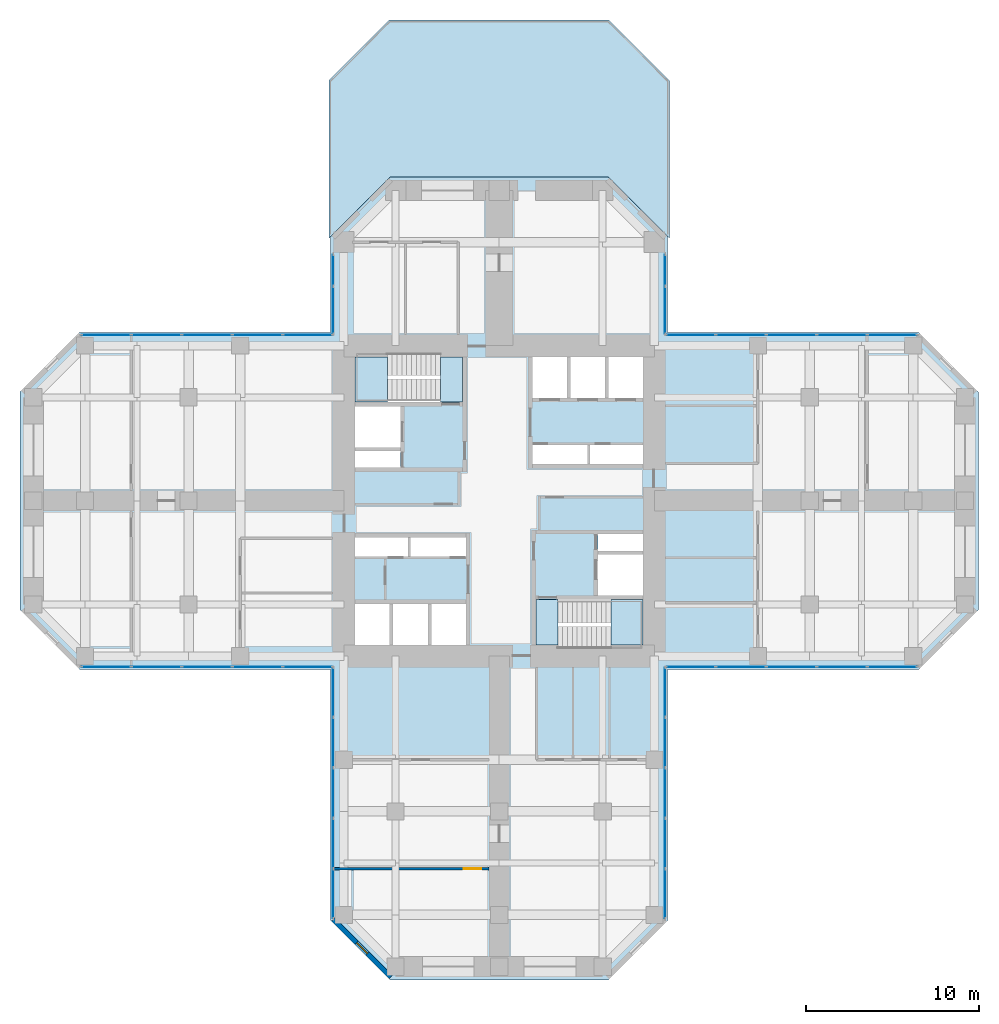
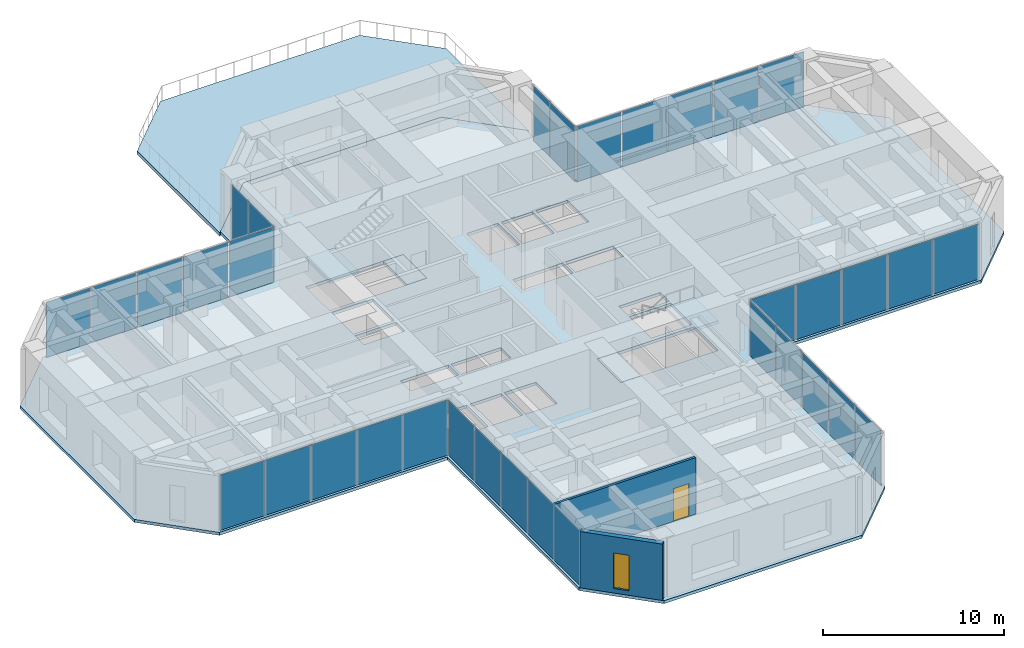
# One storey, part 7 of 12: 34 plates, 6 slabs, 2 walls, 1 door, 1 window, 2 openings, 10 elements without a shape of their own.
"""IFC4 building model written with IfcOpenShell, lengths in metres."""

from ifc_helpers import new_model, si_unit, direction, frame, frame_2d, origin, origin_2d, place, context, subcontext, project, spatial, polyline, rectangle, hollow_rectangle, outline, extrude, material, layer, layer_set, constituent, constituent_set, type_object, element, fill, aggregate, save


model = new_model("IFC4")

# Units and contexts
model_context = context("Model", 3, precision=1e-05, world=origin(), true_north=direction((0.0, 1.0)))
body_context = subcontext(model_context, "Body", "Model", "MODEL_VIEW")
ifc_project = project(units=[si_unit("LENGTHUNIT", "METRE"), si_unit("AREAUNIT", "SQUARE_METRE"), si_unit("VOLUMEUNIT", "CUBIC_METRE"), si_unit("PLANEANGLEUNIT", "RADIAN"), si_unit("MASSUNIT", "GRAM", prefix="KILO")], contexts=[model_context])

# Site, building, storey
site_placement = place(None, origin())
site = spatial("IfcSite", under=ifc_project, at=site_placement, CompositionType="ELEMENT")
building_placement = place(site_placement, origin())
building = spatial("IfcBuilding", under=site, at=building_placement, Name="Torre Cruceta", CompositionType="ELEMENT")
storey_placement = place(building_placement, frame((0.0, 0.0, 100.5)))
storey = spatial("IfcBuildingStorey", under=building, at=storey_placement, Name="L24", CompositionType="ELEMENT", Elevation=100.5)

# Curtain wall, plate
ifc_material_1 = material(Name="Aluminium unitised curtain wall", Category="aluminium")
curtain_wall_type = type_object("IfcCurtainWallType", Name="CURTAIN WALL CW-B OFFICE MID RISE", PredefinedType="USERDEFINED", material=ifc_material_1)
curtain_wall_1_placement = place(storey_placement, origin())
curtain_wall_1 = element("IfcCurtainWall", 1, at=curtain_wall_1_placement, inside=storey, type_object=curtain_wall_type, Name="CW-B L24 E side 00", ObjectType="UNITISED", PredefinedType="USERDEFINED")
ifc_material_2 = material(Name="Laminated insulating glass unit, diagonal frit 50 %", Category="glass")
ifc_material_3 = material(Name="Laminated insulating glass unit, diagonal frit 50 %", Category="glass")
ifc_layer_1 = layer(ifc_material_3, 0.031982421875)
ifc_layer_set_1 = layer_set([ifc_layer_1], Name="Laminated insulating glass unit, diagonal frit 50 %")
plate_type_1 = type_object("IfcPlateType", Name="CW-B OPERABLE VENT PANEL 32", PredefinedType="CURTAIN_PANEL", material=ifc_layer_set_1)
plate_1_placement = place(storey_placement, frame((16.9384765625, -9.6201171875, 0.010009765625), z_axis=(0.0, 0.0, 1.0), x_axis=(1.0, 0.0, 0.0)))
plate_1 = element("IfcPlate", 2, at=plate_1_placement, type_object=plate_type_1, material=ifc_material_2, Name="CW-B vent 3", PredefinedType="CURTAIN_PANEL", context=body_context, shape_type="SweptSolid", body=[
    extrude(rectangle(XDim=2.8623046875, YDim=0.031982421875, at=origin_2d()), origin(), (0.0, 0.0, 1.0), 3.72509765625),
])

curtain_wall_2_placement = place(storey_placement, origin())
curtain_wall_2 = element("IfcCurtainWall", 3, at=curtain_wall_2_placement, inside=storey, type_object=curtain_wall_type, Name="CW-B L24 E side 04", ObjectType="UNITISED", PredefinedType="USERDEFINED")
plate_2_placement = place(storey_placement, frame((16.9384765625, 9.6201171875, 0.010009765625), z_axis=(0.0, 0.0, 1.0), x_axis=(-1.0, 0.0, 0.0)))
plate_2 = element("IfcPlate", 4, at=plate_2_placement, type_object=plate_type_1, material=ifc_material_2, Name="CW-B vent 3", PredefinedType="CURTAIN_PANEL", context=body_context, shape_type="SweptSolid", body=[
    extrude(rectangle(XDim=2.8623046875, YDim=0.031982421875, at=origin_2d()), origin(), (0.0, 0.0, 1.0), 3.72509765625),
])

curtain_wall_3_placement = place(storey_placement, origin())
curtain_wall_3 = element("IfcCurtainWall", 5, at=curtain_wall_3_placement, inside=storey, type_object=curtain_wall_type, Name="CW-B L24 W side 10", ObjectType="UNITISED", PredefinedType="USERDEFINED")
plate_3_placement = place(storey_placement, frame((-16.9384765625, 9.6201171875, 0.010009765625), z_axis=(0.0, 0.0, 1.0), x_axis=(-1.0, 0.0, 0.0)))
plate_3 = element("IfcPlate", 6, at=plate_3_placement, type_object=plate_type_1, material=ifc_material_2, Name="CW-B vent 3", PredefinedType="CURTAIN_PANEL", context=body_context, shape_type="SweptSolid", body=[
    extrude(rectangle(XDim=2.8623046875, YDim=0.031982421875, at=origin_2d()), origin(), (0.0, 0.0, 1.0), 3.72509765625),
])

curtain_wall_4_placement = place(storey_placement, origin())
curtain_wall_4 = element("IfcCurtainWall", 7, at=curtain_wall_4_placement, inside=storey, type_object=curtain_wall_type, Name="CW-B L24 W side 14", ObjectType="UNITISED", PredefinedType="USERDEFINED")
plate_4_placement = place(storey_placement, frame((-16.9384765625, -9.6201171875, 0.010009765625), z_axis=(0.0, 0.0, 1.0), x_axis=(1.0, 0.0, 0.0)))
plate_4 = element("IfcPlate", 8, at=plate_4_placement, type_object=plate_type_1, material=ifc_material_2, Name="CW-B vent 3", PredefinedType="CURTAIN_PANEL", context=body_context, shape_type="SweptSolid", body=[
    extrude(rectangle(XDim=2.8623046875, YDim=0.031982421875, at=origin_2d()), origin(), (0.0, 0.0, 1.0), 3.72509765625),
])

curtain_wall_5_placement = place(storey_placement, origin())
curtain_wall_5 = element("IfcCurtainWall", 9, at=curtain_wall_5_placement, inside=storey, type_object=curtain_wall_type, Name="CW-B L24 S side 15", ObjectType="UNITISED", PredefinedType="USERDEFINED")
plate_5_placement = place(storey_placement, frame((-9.6201171875, -16.9384765625, 0.010009765625), z_axis=(0.0, 0.0, 1.0), x_axis=(0.0, -1.0, 0.0)))
plate_5 = element("IfcPlate", 10, at=plate_5_placement, type_object=plate_type_1, material=ifc_material_2, Name="CW-B vent 3", PredefinedType="CURTAIN_PANEL", context=body_context, shape_type="SweptSolid", body=[
    extrude(rectangle(XDim=2.8623046875, YDim=0.031982421875, at=origin_2d()), origin(), (0.0, 0.0, 1.0), 3.72509765625),
])

curtain_wall_6_placement = place(storey_placement, origin())
curtain_wall_6 = element("IfcCurtainWall", 11, at=curtain_wall_6_placement, inside=storey, type_object=curtain_wall_type, Name="CW-B L24 S side 19", ObjectType="UNITISED", PredefinedType="USERDEFINED")
plate_6_placement = place(storey_placement, frame((9.6201171875, -16.9384765625, 0.010009765625), z_axis=(0.0, 0.0, 1.0), x_axis=(0.0, 1.0, 0.0)))
plate_6 = element("IfcPlate", 12, at=plate_6_placement, type_object=plate_type_1, material=ifc_material_2, Name="CW-B vent 3", PredefinedType="CURTAIN_PANEL", context=body_context, shape_type="SweptSolid", body=[
    extrude(rectangle(XDim=2.8623046875, YDim=0.031982421875, at=origin_2d()), origin(), (0.0, 0.0, 1.0), 3.72509765625),
])

# Plate
ifc_material_4 = material(Name="Laminated insulating glass unit, low-iron clear", Category="glass")
ifc_material_5 = material(Name="Laminated insulating glass unit, diagonal frit 50 %", Category="glass")
ifc_layer_2 = layer(ifc_material_5, 0.031982421875)
ifc_layer_set_2 = layer_set([ifc_layer_2], Name="Laminated insulating glass unit, diagonal frit 50 %")
plate_type_2 = type_object("IfcPlateType", Name="CW-B PANEL 32", PredefinedType="CURTAIN_PANEL", material=ifc_layer_set_2)
plate_7_placement = place(storey_placement, frame((11.099853515625, -9.6201171875, 0.010009765625), z_axis=(0.0, 0.0, 1.0), x_axis=(1.0, 0.0, 0.0)))
plate_7 = element("IfcPlate", 13, at=plate_7_placement, type_object=plate_type_2, material=ifc_material_4, Name="CW-B panel 1", PredefinedType="CURTAIN_PANEL", context=body_context, shape_type="SweptSolid", body=[
    extrude(rectangle(XDim=2.829833984375, YDim=0.031982421875, at=origin_2d()), origin(), (0.0, 0.0, 1.0), 3.72509765625),
])

plate_8_placement = place(storey_placement, frame((14.010986328125, -9.6201171875, 0.010009765625), z_axis=(0.0, 0.0, 1.0), x_axis=(1.0, 0.0, 0.0)))
plate_8 = element("IfcPlate", 14, at=plate_8_placement, type_object=plate_type_2, material=ifc_material_4, Name="CW-B panel 2", PredefinedType="CURTAIN_PANEL", context=body_context, shape_type="SweptSolid", body=[
    extrude(rectangle(XDim=2.8623046875, YDim=0.031982421875, at=origin_2d()), origin(), (0.0, 0.0, 1.0), 3.72509765625),
])

plate_9_placement = place(storey_placement, frame((19.86572265625, -9.6201171875, 0.010009765625), z_axis=(0.0, 0.0, 1.0), x_axis=(1.0, 0.0, 0.0)))
plate_9 = element("IfcPlate", 15, at=plate_9_placement, type_object=plate_type_2, material=ifc_material_2, Name="CW-B panel 4", PredefinedType="CURTAIN_PANEL", context=body_context, shape_type="SweptSolid", body=[
    extrude(rectangle(XDim=2.8623046875, YDim=0.031982421875, at=origin_2d()), origin(), (0.0, 0.0, 1.0), 3.72509765625),
])

plate_10_placement = place(storey_placement, frame((22.77685546875, -9.6201171875, 0.010009765625), z_axis=(0.0, 0.0, 1.0), x_axis=(1.0, 0.0, 0.0)))
plate_10 = element("IfcPlate", 16, at=plate_10_placement, type_object=plate_type_2, material=ifc_material_2, Name="CW-B panel 5", PredefinedType="CURTAIN_PANEL", context=body_context, shape_type="SweptSolid", body=[
    extrude(rectangle(XDim=2.829833984375, YDim=0.031982421875, at=origin_2d()), origin(), (0.0, 0.0, 1.0), 3.72509765625),
])

aggregate(curtain_wall_1, [plate_7, plate_8, plate_1, plate_9, plate_10])

plate_11_placement = place(storey_placement, frame((22.77685546875, 9.6201171875, 0.010009765625), z_axis=(0.0, 0.0, 1.0), x_axis=(-1.0, 0.0, 0.0)))
plate_11 = element("IfcPlate", 17, at=plate_11_placement, type_object=plate_type_2, material=ifc_material_4, Name="CW-B panel 1", PredefinedType="CURTAIN_PANEL", context=body_context, shape_type="SweptSolid", body=[
    extrude(rectangle(XDim=2.829833984375, YDim=0.031982421875, at=origin_2d()), origin(), (0.0, 0.0, 1.0), 3.72509765625),
])

plate_12_placement = place(storey_placement, frame((19.86572265625, 9.6201171875, 0.010009765625), z_axis=(0.0, 0.0, 1.0), x_axis=(-1.0, 0.0, 0.0)))
plate_12 = element("IfcPlate", 18, at=plate_12_placement, type_object=plate_type_2, material=ifc_material_4, Name="CW-B panel 2", PredefinedType="CURTAIN_PANEL", context=body_context, shape_type="SweptSolid", body=[
    extrude(rectangle(XDim=2.8623046875, YDim=0.031982421875, at=origin_2d()), origin(), (0.0, 0.0, 1.0), 3.72509765625),
])

plate_13_placement = place(storey_placement, frame((14.010986328125, 9.6201171875, 0.010009765625), z_axis=(0.0, 0.0, 1.0), x_axis=(-1.0, 0.0, 0.0)))
plate_13 = element("IfcPlate", 19, at=plate_13_placement, type_object=plate_type_2, material=ifc_material_2, Name="CW-B panel 4", PredefinedType="CURTAIN_PANEL", context=body_context, shape_type="SweptSolid", body=[
    extrude(rectangle(XDim=2.8623046875, YDim=0.031982421875, at=origin_2d()), origin(), (0.0, 0.0, 1.0), 3.72509765625),
])

plate_14_placement = place(storey_placement, frame((11.099853515625, 9.6201171875, 0.010009765625), z_axis=(0.0, 0.0, 1.0), x_axis=(-1.0, 0.0, 0.0)))
plate_14 = element("IfcPlate", 20, at=plate_14_placement, type_object=plate_type_2, material=ifc_material_2, Name="CW-B panel 5", PredefinedType="CURTAIN_PANEL", context=body_context, shape_type="SweptSolid", body=[
    extrude(rectangle(XDim=2.829833984375, YDim=0.031982421875, at=origin_2d()), origin(), (0.0, 0.0, 1.0), 3.72509765625),
])

aggregate(curtain_wall_2, [plate_11, plate_12, plate_2, plate_13, plate_14])

# Curtain wall, plates
curtain_wall_7_placement = place(storey_placement, origin())
curtain_wall_7 = element("IfcCurtainWall", 21, at=curtain_wall_7_placement, inside=storey, type_object=curtain_wall_type, Name="CW-B L24 N side 05", ObjectType="UNITISED", PredefinedType="USERDEFINED")
plate_15_placement = place(storey_placement, frame((9.6201171875, 11.04541015625, 0.010009765625), z_axis=(0.0, 0.0, 1.0), x_axis=(0.0, 1.0, 0.0)))
plate_15 = element("IfcPlate", 22, at=plate_15_placement, type_object=plate_type_2, material=ifc_material_4, Name="CW-B panel 1", PredefinedType="CURTAIN_PANEL", context=body_context, shape_type="SweptSolid", body=[
    extrude(rectangle(XDim=2.720947265625, YDim=0.031982421875, at=origin_2d()), origin(), (0.0, 0.0, 1.0), 3.72509765625),
])
plate_16_placement = place(storey_placement, frame((9.6201171875, 13.373779296875, 0.010009765625), z_axis=(0.0, 0.0, 1.0), x_axis=(0.0, 1.0, 0.0)))
plate_16 = element("IfcPlate", 23, at=plate_16_placement, type_object=plate_type_2, material=ifc_material_4, Name="CW-B panel 2", PredefinedType="CURTAIN_PANEL", context=body_context, shape_type="SweptSolid", body=[
    extrude(rectangle(XDim=1.8056640625, YDim=0.031982421875, at=origin_2d()), origin(), (0.0, 0.0, 1.0), 3.72509765625),
])
aggregate(curtain_wall_7, [plate_15, plate_16])

curtain_wall_8_placement = place(storey_placement, origin())
curtain_wall_8 = element("IfcCurtainWall", 24, at=curtain_wall_8_placement, inside=storey, type_object=curtain_wall_type, Name="CW-B L24 N side 09", ObjectType="UNITISED", PredefinedType="USERDEFINED")
plate_17_placement = place(storey_placement, frame((-9.6201171875, 13.373779296875, 0.010009765625), z_axis=(0.0, 0.0, 1.0), x_axis=(0.0, -1.0, 0.0)))
plate_17 = element("IfcPlate", 25, at=plate_17_placement, type_object=plate_type_2, material=ifc_material_4, Name="CW-B panel 1", PredefinedType="CURTAIN_PANEL", context=body_context, shape_type="SweptSolid", body=[
    extrude(rectangle(XDim=1.8056640625, YDim=0.031982421875, at=origin_2d()), origin(), (0.0, 0.0, 1.0), 3.72509765625),
])
plate_18_placement = place(storey_placement, frame((-9.6201171875, 11.04541015625, 0.010009765625), z_axis=(0.0, 0.0, 1.0), x_axis=(0.0, -1.0, 0.0)))
plate_18 = element("IfcPlate", 26, at=plate_18_placement, type_object=plate_type_2, material=ifc_material_4, Name="CW-B panel 2", PredefinedType="CURTAIN_PANEL", context=body_context, shape_type="SweptSolid", body=[
    extrude(rectangle(XDim=2.720947265625, YDim=0.031982421875, at=origin_2d()), origin(), (0.0, 0.0, 1.0), 3.72509765625),
])
aggregate(curtain_wall_8, [plate_17, plate_18])

# Plate
plate_19_placement = place(storey_placement, frame((-11.099853515625, 9.6201171875, 0.010009765625), z_axis=(0.0, 0.0, 1.0), x_axis=(-1.0, 0.0, 0.0)))
plate_19 = element("IfcPlate", 27, at=plate_19_placement, type_object=plate_type_2, material=ifc_material_4, Name="CW-B panel 1", PredefinedType="CURTAIN_PANEL", context=body_context, shape_type="SweptSolid", body=[
    extrude(rectangle(XDim=2.829833984375, YDim=0.031982421875, at=origin_2d()), origin(), (0.0, 0.0, 1.0), 3.72509765625),
])

plate_20_placement = place(storey_placement, frame((-14.010986328125, 9.6201171875, 0.010009765625), z_axis=(0.0, 0.0, 1.0), x_axis=(-1.0, 0.0, 0.0)))
plate_20 = element("IfcPlate", 28, at=plate_20_placement, type_object=plate_type_2, material=ifc_material_4, Name="CW-B panel 2", PredefinedType="CURTAIN_PANEL", context=body_context, shape_type="SweptSolid", body=[
    extrude(rectangle(XDim=2.8623046875, YDim=0.031982421875, at=origin_2d()), origin(), (0.0, 0.0, 1.0), 3.72509765625),
])

plate_21_placement = place(storey_placement, frame((-19.86572265625, 9.6201171875, 0.010009765625), z_axis=(0.0, 0.0, 1.0), x_axis=(-1.0, 0.0, 0.0)))
plate_21 = element("IfcPlate", 29, at=plate_21_placement, type_object=plate_type_2, material=ifc_material_2, Name="CW-B panel 4", PredefinedType="CURTAIN_PANEL", context=body_context, shape_type="SweptSolid", body=[
    extrude(rectangle(XDim=2.8623046875, YDim=0.031982421875, at=origin_2d()), origin(), (0.0, 0.0, 1.0), 3.72509765625),
])

plate_22_placement = place(storey_placement, frame((-22.77685546875, 9.6201171875, 0.010009765625), z_axis=(0.0, 0.0, 1.0), x_axis=(-1.0, 0.0, 0.0)))
plate_22 = element("IfcPlate", 30, at=plate_22_placement, type_object=plate_type_2, material=ifc_material_2, Name="CW-B panel 5", PredefinedType="CURTAIN_PANEL", context=body_context, shape_type="SweptSolid", body=[
    extrude(rectangle(XDim=2.829833984375, YDim=0.031982421875, at=origin_2d()), origin(), (0.0, 0.0, 1.0), 3.72509765625),
])

aggregate(curtain_wall_3, [plate_19, plate_20, plate_3, plate_21, plate_22])

plate_23_placement = place(storey_placement, frame((-22.77685546875, -9.6201171875, 0.010009765625), z_axis=(0.0, 0.0, 1.0), x_axis=(1.0, 0.0, 0.0)))
plate_23 = element("IfcPlate", 31, at=plate_23_placement, type_object=plate_type_2, material=ifc_material_4, Name="CW-B panel 1", PredefinedType="CURTAIN_PANEL", context=body_context, shape_type="SweptSolid", body=[
    extrude(rectangle(XDim=2.829833984375, YDim=0.031982421875, at=origin_2d()), origin(), (0.0, 0.0, 1.0), 3.72509765625),
])

plate_24_placement = place(storey_placement, frame((-19.86572265625, -9.6201171875, 0.010009765625), z_axis=(0.0, 0.0, 1.0), x_axis=(1.0, 0.0, 0.0)))
plate_24 = element("IfcPlate", 32, at=plate_24_placement, type_object=plate_type_2, material=ifc_material_4, Name="CW-B panel 2", PredefinedType="CURTAIN_PANEL", context=body_context, shape_type="SweptSolid", body=[
    extrude(rectangle(XDim=2.8623046875, YDim=0.031982421875, at=origin_2d()), origin(), (0.0, 0.0, 1.0), 3.72509765625),
])

plate_25_placement = place(storey_placement, frame((-14.010986328125, -9.6201171875, 0.010009765625), z_axis=(0.0, 0.0, 1.0), x_axis=(1.0, 0.0, 0.0)))
plate_25 = element("IfcPlate", 33, at=plate_25_placement, type_object=plate_type_2, material=ifc_material_2, Name="CW-B panel 4", PredefinedType="CURTAIN_PANEL", context=body_context, shape_type="SweptSolid", body=[
    extrude(rectangle(XDim=2.8623046875, YDim=0.031982421875, at=origin_2d()), origin(), (0.0, 0.0, 1.0), 3.72509765625),
])

plate_26_placement = place(storey_placement, frame((-11.099853515625, -9.6201171875, 0.010009765625), z_axis=(0.0, 0.0, 1.0), x_axis=(1.0, 0.0, 0.0)))
plate_26 = element("IfcPlate", 34, at=plate_26_placement, type_object=plate_type_2, material=ifc_material_2, Name="CW-B panel 5", PredefinedType="CURTAIN_PANEL", context=body_context, shape_type="SweptSolid", body=[
    extrude(rectangle(XDim=2.829833984375, YDim=0.031982421875, at=origin_2d()), origin(), (0.0, 0.0, 1.0), 3.72509765625),
])

aggregate(curtain_wall_4, [plate_23, plate_24, plate_4, plate_25, plate_26])

plate_27_placement = place(storey_placement, frame((-9.6201171875, -11.099853515625, 0.010009765625), z_axis=(0.0, 0.0, 1.0), x_axis=(0.0, -1.0, 0.0)))
plate_27 = element("IfcPlate", 35, at=plate_27_placement, type_object=plate_type_2, material=ifc_material_4, Name="CW-B panel 1", PredefinedType="CURTAIN_PANEL", context=body_context, shape_type="SweptSolid", body=[
    extrude(rectangle(XDim=2.829833984375, YDim=0.031982421875, at=origin_2d()), origin(), (0.0, 0.0, 1.0), 3.72509765625),
])

plate_28_placement = place(storey_placement, frame((-9.6201171875, -14.010986328125, 0.010009765625), z_axis=(0.0, 0.0, 1.0), x_axis=(0.0, -1.0, 0.0)))
plate_28 = element("IfcPlate", 36, at=plate_28_placement, type_object=plate_type_2, material=ifc_material_4, Name="CW-B panel 2", PredefinedType="CURTAIN_PANEL", context=body_context, shape_type="SweptSolid", body=[
    extrude(rectangle(XDim=2.8623046875, YDim=0.031982421875, at=origin_2d()), origin(), (0.0, 0.0, 1.0), 3.72509765625),
])

plate_29_placement = place(storey_placement, frame((-9.6201171875, -19.86572265625, 0.010009765625), z_axis=(0.0, 0.0, 1.0), x_axis=(0.0, -1.0, 0.0)))
plate_29 = element("IfcPlate", 37, at=plate_29_placement, type_object=plate_type_2, material=ifc_material_2, Name="CW-B panel 4", PredefinedType="CURTAIN_PANEL", context=body_context, shape_type="SweptSolid", body=[
    extrude(rectangle(XDim=2.8623046875, YDim=0.031982421875, at=origin_2d()), origin(), (0.0, 0.0, 1.0), 3.72509765625),
])

plate_30_placement = place(storey_placement, frame((-9.6201171875, -22.77685546875, 0.010009765625), z_axis=(0.0, 0.0, 1.0), x_axis=(0.0, -1.0, 0.0)))
plate_30 = element("IfcPlate", 38, at=plate_30_placement, type_object=plate_type_2, material=ifc_material_2, Name="CW-B panel 5", PredefinedType="CURTAIN_PANEL", context=body_context, shape_type="SweptSolid", body=[
    extrude(rectangle(XDim=2.829833984375, YDim=0.031982421875, at=origin_2d()), origin(), (0.0, 0.0, 1.0), 3.72509765625),
])

aggregate(curtain_wall_5, [plate_27, plate_28, plate_5, plate_29, plate_30])

plate_31_placement = place(storey_placement, frame((9.6201171875, -22.77685546875, 0.010009765625), z_axis=(0.0, 0.0, 1.0), x_axis=(0.0, 1.0, 0.0)))
plate_31 = element("IfcPlate", 39, at=plate_31_placement, type_object=plate_type_2, material=ifc_material_4, Name="CW-B panel 1", PredefinedType="CURTAIN_PANEL", context=body_context, shape_type="SweptSolid", body=[
    extrude(rectangle(XDim=2.829833984375, YDim=0.031982421875, at=origin_2d()), origin(), (0.0, 0.0, 1.0), 3.72509765625),
])

plate_32_placement = place(storey_placement, frame((9.6201171875, -19.86572265625, 0.010009765625), z_axis=(0.0, 0.0, 1.0), x_axis=(0.0, 1.0, 0.0)))
plate_32 = element("IfcPlate", 40, at=plate_32_placement, type_object=plate_type_2, material=ifc_material_4, Name="CW-B panel 2", PredefinedType="CURTAIN_PANEL", context=body_context, shape_type="SweptSolid", body=[
    extrude(rectangle(XDim=2.8623046875, YDim=0.031982421875, at=origin_2d()), origin(), (0.0, 0.0, 1.0), 3.72509765625),
])

plate_33_placement = place(storey_placement, frame((9.6201171875, -14.010986328125, 0.010009765625), z_axis=(0.0, 0.0, 1.0), x_axis=(0.0, 1.0, 0.0)))
plate_33 = element("IfcPlate", 41, at=plate_33_placement, type_object=plate_type_2, material=ifc_material_2, Name="CW-B panel 4", PredefinedType="CURTAIN_PANEL", context=body_context, shape_type="SweptSolid", body=[
    extrude(rectangle(XDim=2.8623046875, YDim=0.031982421875, at=origin_2d()), origin(), (0.0, 0.0, 1.0), 3.72509765625),
])

plate_34_placement = place(storey_placement, frame((9.6201171875, -11.099853515625, 0.010009765625), z_axis=(0.0, 0.0, 1.0), x_axis=(0.0, 1.0, 0.0)))
plate_34 = element("IfcPlate", 42, at=plate_34_placement, type_object=plate_type_2, material=ifc_material_2, Name="CW-B panel 5", PredefinedType="CURTAIN_PANEL", context=body_context, shape_type="SweptSolid", body=[
    extrude(rectangle(XDim=2.829833984375, YDim=0.031982421875, at=origin_2d()), origin(), (0.0, 0.0, 1.0), 3.72509765625),
])

aggregate(curtain_wall_6, [plate_31, plate_32, plate_6, plate_33, plate_34])

# Slab
ifc_material_6 = material(Name="Concrete G35 (fck 35 MPa)", Category="concrete")
ifc_layer_3 = layer(ifc_material_6, 0.199951171875)
ifc_layer_set_3 = layer_set([ifc_layer_3], Name="Concrete G35 (fck 35 MPa)")
slab_type_1 = type_object("IfcSlabType", Name="FLOOR SLAB 200", PredefinedType="FLOOR", material=ifc_layer_set_3)
slab_1_placement = place(storey_placement, frame((0.0, 0.0, -0.199951171875)))
element("IfcSlab", 43, at=slab_1_placement, inside=storey, type_object=slab_type_1, Name="Floor Slab L24", PredefinedType="FLOOR", context=body_context, shape_type="SweptSolid", body=[
    extrude(outline(polyline([(9.77001953125, -9.77001953125), (9.77001953125, -24.31884765625), (6.31884765625, -27.77001953125), (-6.31884765625, -27.77001953125), (-9.77001953125, -24.31884765625), (-9.77001953125, -9.77001953125), (-24.31884765625, -9.77001953125), (-27.77001953125, -6.31884765625), (-27.77001953125, 6.31884765625), (-24.31884765625, 9.77001953125), (-9.77001953125, 9.77001953125), (-9.77001953125, 15.31884765625), (-6.31884765625, 18.77001953125), (6.31884765625, 18.77001953125), (9.77001953125, 15.31884765625), (9.77001953125, 9.77001953125), (24.31884765625, 9.77001953125), (27.77001953125, 6.31884765625), (27.77001953125, -6.31884765625), (24.31884765625, -9.77001953125), (9.77001953125, -9.77001953125)]), holes=[polyline([(1.925048828125, 5.97509765625), (3.933349609375, 5.97509765625), (3.933349609375, 8.35009765625), (1.925048828125, 8.35009765625), (1.925048828125, 5.97509765625)]), polyline([(4.13330078125, 5.97509765625), (6.1416015625, 5.97509765625), (6.1416015625, 8.35009765625), (4.13330078125, 8.35009765625), (4.13330078125, 5.97509765625)]), polyline([(6.341552734375, 5.97509765625), (8.35009765625, 5.97509765625), (8.35009765625, 8.35009765625), (6.341552734375, 8.35009765625), (6.341552734375, 5.97509765625)]), polyline([(1.925048828125, 2.125), (5.125, 2.125), (5.125, 3.22509765625), (1.925048828125, 3.22509765625), (1.925048828125, 2.125)]), polyline([(5.27490234375, 2.125), (8.35009765625, 2.125), (8.35009765625, 3.22509765625), (5.27490234375, 3.22509765625), (5.27490234375, 2.125)]), polyline([(-8.35009765625, 3.10009765625), (-5.72509765625, 3.10009765625), (-5.72509765625, 5.47509765625), (-8.35009765625, 5.47509765625), (-8.35009765625, 3.10009765625)]), polyline([(-8.35009765625, 1.925048828125), (-5.72509765625, 1.925048828125), (-5.72509765625, 2.89990234375), (-8.35009765625, 2.89990234375), (-8.35009765625, 1.925048828125)]), polyline([(-3.933349609375, -8.35009765625), (-1.925048828125, -8.35009765625), (-1.925048828125, -5.97509765625), (-3.933349609375, -5.97509765625), (-3.933349609375, -8.35009765625)]), polyline([(-6.1416015625, -8.35009765625), (-4.13330078125, -8.35009765625), (-4.13330078125, -5.97509765625), (-6.1416015625, -5.97509765625), (-6.1416015625, -8.35009765625)]), polyline([(-8.35009765625, -8.35009765625), (-6.341552734375, -8.35009765625), (-6.341552734375, -5.97509765625), (-8.35009765625, -5.97509765625), (-8.35009765625, -8.35009765625)]), polyline([(-5.125, -3.22509765625), (-1.925048828125, -3.22509765625), (-1.925048828125, -2.125), (-5.125, -2.125), (-5.125, -3.22509765625)]), polyline([(-8.35009765625, -3.22509765625), (-5.27490234375, -3.22509765625), (-5.27490234375, -2.125), (-8.35009765625, -2.125), (-8.35009765625, -3.22509765625)]), polyline([(5.72509765625, -5.47509765625), (8.35009765625, -5.47509765625), (8.35009765625, -3.10009765625), (5.72509765625, -3.10009765625), (5.72509765625, -5.47509765625)]), polyline([(5.72509765625, -2.89990234375), (8.35009765625, -2.89990234375), (8.35009765625, -1.925048828125), (5.72509765625, -1.925048828125), (5.72509765625, -2.89990234375)]), polyline([(-8.35009765625, 5.72509765625), (-8.35009765625, 8.35009765625), (-3.39990234375, 8.35009765625), (-2.125, 8.35009765625), (-2.125, 5.72509765625), (-3.39990234375, 5.72509765625), (-8.35009765625, 5.72509765625)]), polyline([(2.125, -5.72509765625), (3.39990234375, -5.72509765625), (8.35009765625, -5.72509765625), (8.35009765625, -8.35009765625), (3.39990234375, -8.35009765625), (2.125, -8.35009765625), (2.125, -5.72509765625)])]), origin(), (0.0, 0.0, 1.0), 0.199951171875),
])

# Stair, slab
ifc_material_7 = material(Name="Concrete G30 (fck 30 MPa)", Category="concrete")
stair_type = type_object("IfcStairType", Name="STAIR HALF-TURN 1300", PredefinedType="HALF_TURN_STAIR", material=ifc_material_7)
stair_1_placement = place(storey_placement, origin())
stair_1 = element("IfcStair", 44, at=stair_1_placement, inside=storey, type_object=stair_type, Name="Stair ST1 L24", PredefinedType="HALF_TURN_STAIR")
ifc_material_8 = material(Name="Concrete G30 (fck 30 MPa)", Category="concrete")
ifc_layer_4 = layer(ifc_material_8, 0.199951171875)
ifc_layer_set_4 = layer_set([ifc_layer_4], Name="Concrete G30 (fck 30 MPa)")
slab_type_2 = type_object("IfcSlabType", Name="STAIR LANDING 200", PredefinedType="LANDING", material=ifc_layer_set_4)
slab_2_placement = place(storey_placement, frame((0.0, 0.0, 1.800048828125)))
slab_2 = element("IfcSlab", 45, at=slab_2_placement, type_object=slab_type_2, Name="ST1 landing 1", PredefinedType="LANDING", context=body_context, shape_type="SweptSolid", body=[
    extrude(outline(polyline([(-8.35009765625, 5.72509765625), (-6.47998046875, 5.72509765625), (-6.47998046875, 8.35009765625), (-8.35009765625, 8.35009765625), (-8.35009765625, 5.72509765625)])), origin(), (0.0, 0.0, 1.0), 0.199951171875),
])
aggregate(stair_1, [slab_2])

stair_2_placement = place(storey_placement, origin())
stair_2 = element("IfcStair", 46, at=stair_2_placement, inside=storey, type_object=stair_type, Name="Stair ST2 L24", PredefinedType="HALF_TURN_STAIR")
slab_3_placement = place(storey_placement, frame((0.0, 0.0, 1.800048828125)))
slab_3 = element("IfcSlab", 47, at=slab_3_placement, type_object=slab_type_2, Name="ST2 landing 1", PredefinedType="LANDING", context=body_context, shape_type="SweptSolid", body=[
    extrude(outline(polyline([(6.47998046875, -8.35009765625), (8.35009765625, -8.35009765625), (8.35009765625, -5.72509765625), (6.47998046875, -5.72509765625), (6.47998046875, -8.35009765625)])), origin(), (0.0, 0.0, 1.0), 0.199951171875),
])
aggregate(stair_2, [slab_3])

# Slabs
slab_4_placement = place(storey_placement, frame((0.0, 0.0, -0.199951171875)))
element("IfcSlab", 48, at=slab_4_placement, inside=storey, type_object=slab_type_2, Name="Stair ST1 floor landing L24", PredefinedType="LANDING", context=body_context, shape_type="SweptSolid", body=[
    extrude(outline(polyline([(-2.125, 8.35009765625), (-2.125, 5.72509765625), (-3.39990234375, 5.72509765625), (-3.39990234375, 8.35009765625), (-2.125, 8.35009765625)])), origin(), (0.0, 0.0, 1.0), 0.199951171875),
])
slab_5_placement = place(storey_placement, frame((0.0, 0.0, -0.199951171875)))
element("IfcSlab", 49, at=slab_5_placement, inside=storey, type_object=slab_type_2, Name="Stair ST2 floor landing L24", PredefinedType="LANDING", context=body_context, shape_type="SweptSolid", body=[
    extrude(outline(polyline([(2.125, -8.35009765625), (2.125, -5.72509765625), (3.39990234375, -5.72509765625), (3.39990234375, -8.35009765625), (2.125, -8.35009765625)])), origin(), (0.0, 0.0, 1.0), 0.199951171875),
])
ifc_material_9 = material(Name="Concrete G35 (fck 35 MPa)", Category="concrete")
ifc_layer_5 = layer(ifc_material_9, 0.25)
ifc_layer_set_5 = layer_set([ifc_layer_5], Name="Concrete G35 (fck 35 MPa)")
slab_type_3 = type_object("IfcSlabType", Name="TERRACE SLAB 250", PredefinedType="ROOF", material=ifc_layer_set_5)
slab_6_placement = place(storey_placement, frame((0.0, 0.0, -0.25)))
element("IfcSlab", 50, at=slab_6_placement, inside=storey, type_object=slab_type_3, Name="Terrace slab L24-1", PredefinedType="ROOF", context=body_context, shape_type="SweptSolid", body=[
    extrude(outline(polyline([(-9.8701171875, 24.3603515625), (-6.3603515625, 27.8701171875), (6.3603515625, 27.8701171875), (9.8701171875, 24.3603515625), (9.8701171875, 15.218994140625), (9.77001953125, 15.31884765625), (6.31884765625, 18.77001953125), (-6.31884765625, 18.77001953125), (-9.77001953125, 15.31884765625), (-9.8701171875, 15.218994140625), (-9.8701171875, 24.3603515625)])), origin(), (0.0, 0.0, 1.0), 0.25),
])

# Wall, opening, window
ifc_material_10 = material(Name="Concrete G30 (fck 30 MPa)", Category="concrete")
ifc_layer_6 = layer(ifc_material_10, 0.300048828125)
ifc_layer_set_6 = layer_set([ifc_layer_6], Name="Concrete G30 (fck 30 MPa)")
wall_type_1 = type_object("IfcWallType", Name="EXPOSED CONCRETE FACADE WALL 300", PredefinedType="SOLIDWALL", material=ifc_layer_set_6)
wall_1_placement = place(storey_placement, frame((-9.6201171875, -24.2568359375, 0.0), z_axis=(0.0, 0.0, 1.0), x_axis=(0.707106781187, -0.707106781187, 0.0)))
wall_1 = element("IfcWall", 51, at=wall_1_placement, inside=storey, type_object=wall_type_1, Name="EW1 facade wall L24 S chamfer 16", PredefinedType="SOLIDWALL", context=body_context, shape_type="SweptSolid", body=[
    extrude(rectangle(XDim=4.72802734375, YDim=0.300048828125, at=frame_2d((2.364013671875, 0.0))), origin(), (0.0, 0.0, 1.0), 3.800048828125),
])
opening_1_placement = place(wall_1_placement, frame((1.9140625, 0.0, 0.300048828125)))
opening_1 = element("IfcOpeningElement", 52, at=opening_1_placement, cuts=wall_1, Name="Opening WN5", PredefinedType="OPENING", context=body_context, shape_type="SweptSolid", body=[
    extrude(rectangle(XDim=0.89990234375, YDim=2.39990234375, at=frame_2d((0.449951171875, 1.199951171875))), frame((0.0, 0.159912109375, 0.0), z_axis=(0.0, -1.0, 0.0), x_axis=(1.0, 0.0, 0.0)), (0.0, 0.0, 1.0), 0.320068359375),
])
ifc_material_11 = material(Name="Aluminium window frame", Category="aluminium")
ifc_constituent_1 = constituent(ifc_material_11, Name="Frame")
ifc_material_12 = material(Name="Laminated insulating glass unit, low-iron clear", Category="glass")
ifc_constituent_2 = constituent(ifc_material_12, Name="Glazing")
ifc_constituent_set_1 = constituent_set(constituents=[ifc_constituent_1, ifc_constituent_2], Name="Aluminium window")
window_type = type_object("IfcWindowType", Name="CHAMFER SLOT WINDOW 900X2400", PartitioningType="SINGLE_PANEL", PredefinedType="WINDOW", material=ifc_constituent_set_1)
window_placement = place(opening_1_placement, origin())
window = element("IfcWindow", 53, at=window_placement, inside=storey, type_object=window_type, Name="WN5 L24 S 1", OverallHeight=2.39990234375, OverallWidth=0.89990234375, PartitioningType="SINGLE_PANEL", PredefinedType="WINDOW", context=body_context, shape_type="SweptSolid", body=[
    extrude(hollow_rectangle(XDim=0.89990234375, YDim=2.39990234375, WallThickness=0.06005859375, at=frame_2d((0.449951171875, 1.199951171875))), frame((0.0, 0.030029296875, 0.0), z_axis=(0.0, -1.0, 0.0), x_axis=(1.0, 0.0, 0.0)), (0.0, 0.0, 1.0), 0.06005859375),
    extrude(rectangle(XDim=0.77880859375, YDim=2.27880859375, at=frame_2d((0.449951171875, 1.199951171875))), frame((0.0, 0.030029296875, 0.0), z_axis=(0.0, -1.0, 0.0), x_axis=(1.0, 0.0, 0.0)), (0.0, 0.0, 1.0), 0.06005859375),
])
fill(opening_1, window)

# Wall, opening, door
ifc_material_13 = material(Name="Plasterboard on steel studs", Category="steel")
ifc_layer_7 = layer(ifc_material_13, 0.14990234375)
ifc_layer_set_7 = layer_set([ifc_layer_7], Name="Plasterboard on steel studs")
wall_type_2 = type_object("IfcWallType", Name="PARTITION 150", PredefinedType="PARTITIONING", material=ifc_layer_set_7)
wall_2_placement = place(storey_placement, frame((-9.580078125, -21.320068359375, 0.0), z_axis=(0.0, 0.0, 1.0), x_axis=(1.0, 0.0, 0.0)))
wall_2 = element("IfcWall", 54, at=wall_2_placement, inside=storey, type_object=wall_type_2, Name="PT1 L24-S-TWR", PredefinedType="PARTITIONING", context=body_context, shape_type="SweptSolid", body=[
    extrude(rectangle(XDim=8.97998046875, YDim=0.14990234375, at=frame_2d((4.489990234375, 0.0))), origin(), (0.0, 0.0, 1.0), 3.800048828125),
])
opening_2_placement = place(wall_2_placement, frame((7.530029296875, 0.0, 0.0)))
opening_2 = element("IfcOpeningElement", 55, at=opening_2_placement, cuts=wall_2, Name="Opening D14", PredefinedType="OPENING", context=body_context, shape_type="SweptSolid", body=[
    extrude(rectangle(XDim=1.0, YDim=2.199951171875, at=frame_2d((0.5, 1.10009765625))), frame((0.0, 0.0849609375, 0.0), z_axis=(0.0, -1.0, 0.0), x_axis=(1.0, 0.0, 0.0)), (0.0, 0.0, 1.0), 0.169921875),
])
ifc_material_14 = material(Name="Steel DX51D", Category="steel")
ifc_constituent_3 = constituent(ifc_material_14, Name="Leaf and frame")
ifc_material_15 = material(Name="Polyester powder coating", Category="paint")
ifc_constituent_4 = constituent(ifc_material_15, Name="Finish")
ifc_material_16 = material(Name="Fire-resisting glass", Category="glass")
ifc_constituent_5 = constituent(ifc_material_16, Name="Vision panel")
ifc_constituent_set_2 = constituent_set(constituents=[ifc_constituent_3, ifc_constituent_4, ifc_constituent_5], Name="Steel fire door with vision panel")
door_type = type_object("IfcDoorType", Name="FIRE DOOR VISION PANEL 1000X2200", OperationType="SINGLE_SWING_RIGHT", PredefinedType="DOOR", material=ifc_constituent_set_2)
door_placement = place(opening_2_placement, frame((1.0, 0.0, 0.0), z_axis=(0.0, 0.0, 1.0), x_axis=(-1.0, 0.0, 0.0)))
door = element("IfcDoor", 56, at=door_placement, inside=storey, type_object=door_type, Name="D14 L24-S-TWR-D1", OperationType="SINGLE_SWING_LEFT", OverallHeight=2.199951171875, OverallWidth=1.0, PredefinedType="DOOR", context=body_context, shape_type="SweptSolid", body=[
    extrude(rectangle(XDim=1.0, YDim=2.199951171875, at=frame_2d((0.5, 1.10009765625))), frame((0.0, 0.025146484375, 0.0), z_axis=(0.0, -1.0, 0.0), x_axis=(1.0, 0.0, 0.0)), (0.0, 0.0, 1.0), 0.050048828125),
])
fill(opening_2, door)

save(model, "model.ifc")
